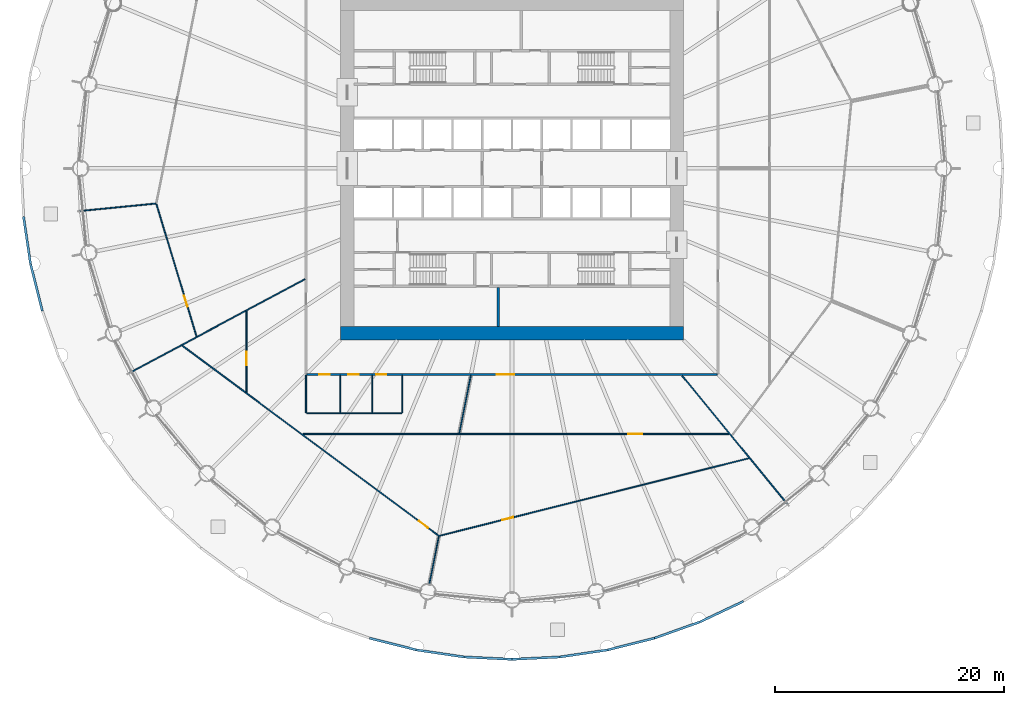
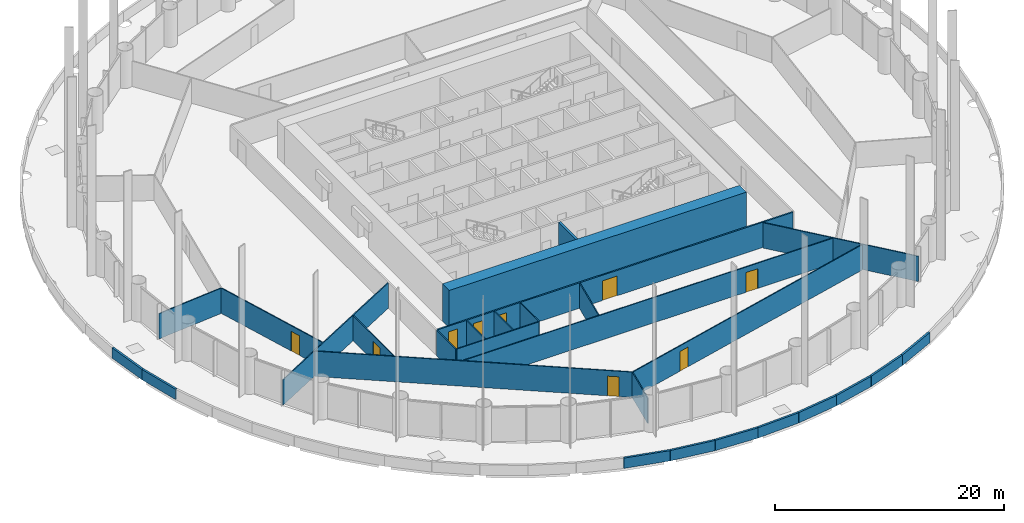
# One storey, part 9 of 17: 28 walls, 9 doors, 9 openings.
"""IFC4 building model written with IfcOpenShell, lengths in metres."""

from ifc_helpers import new_model, si_unit, direction, frame, frame_2d, origin, place, context, subcontext, project, spatial, polyline, rectangle, outline, extrude, material, layer, layer_set, type_object, element, fill, save


model = new_model("IFC4")

# Units and contexts
model_context = context("Model", 3, precision=1e-05, world=origin(), true_north=direction((0.0, 1.0)))
body_context = subcontext(model_context, "Body", "Model", "MODEL_VIEW")
ifc_project = project(units=[si_unit("LENGTHUNIT", "METRE"), si_unit("AREAUNIT", "SQUARE_METRE"), si_unit("VOLUMEUNIT", "CUBIC_METRE"), si_unit("PLANEANGLEUNIT", "RADIAN"), si_unit("MASSUNIT", "GRAM", prefix="KILO")], contexts=[model_context])

# Site, building, storey
site_placement = place(None, origin())
site = spatial("IfcSite", under=ifc_project, at=site_placement, CompositionType="ELEMENT")
building_placement = place(site_placement, origin())
building = spatial("IfcBuilding", under=site, at=building_placement, Name="Corvane Civic Tower", CompositionType="ELEMENT")
storey_placement = place(building_placement, frame((0.0, 0.0, 37.0)))
storey = spatial("IfcBuildingStorey", under=building, at=storey_placement, Name="L07", CompositionType="ELEMENT", Elevation=37.0)

# Walls
ifc_material_1 = material(Name="Concrete C80/95", Category="concrete")
ifc_layer_1 = layer(ifc_material_1, 1.199951171875)
ifc_layer_set_1 = layer_set([ifc_layer_1], Name="Concrete C80/95")
wall_type_1 = type_object("IfcWallType", Name="CORE WALL 1200 C80/95", PredefinedType="SHEAR", material=ifc_layer_set_1)
wall_1_placement = place(storey_placement, frame((-15.0, -14.39990234375, 0.0), z_axis=(0.0, 0.0, 1.0), x_axis=(1.0, 0.0, 0.0)))
element("IfcWall", 1, at=wall_1_placement, inside=storey, type_object=wall_type_1, Name="W-L07-core-S", PredefinedType="SHEAR", context=body_context, shape_type="SweptSolid", body=[
    extrude(rectangle(XDim=30.0, YDim=1.199951171875, at=frame_2d((15.0, 0.0))), origin(), (0.0, 0.0, 1.0), 4.0),
])
ifc_material_2 = material(Name="Concrete C30/37", Category="concrete")
ifc_layer_2 = layer(ifc_material_2, 0.199951171875)
ifc_layer_set_2 = layer_set([ifc_layer_2], Name="Concrete C30/37")
wall_type_2 = type_object("IfcWallType", Name="CR-WALL-200", PredefinedType="PARTITIONING", material=ifc_layer_set_2)
wall_2_placement = place(storey_placement, origin())
element("IfcWall", 2, at=wall_2_placement, inside=storey, type_object=wall_type_2, Name="L07 core partition wall", PredefinedType="PARTITIONING", context=body_context, shape_type="SweptSolid", body=[
    extrude(outline(polyline([(-1.10009765625, -13.800048828125), (-1.300048828125, -13.800048828125), (-1.300048828125, -10.39990234375), (-1.10009765625, -10.39990234375), (-1.10009765625, -13.800048828125)])), origin(), (0.0, 0.0, 1.0), 3.699951171875),
])
ifc_material_3 = material(Name="Limestone cladding", Category="masonry")
ifc_layer_3 = layer(ifc_material_3, 0.199951171875)
ifc_layer_set_3 = layer_set([ifc_layer_3], Name="Limestone cladding")
wall_type_3 = type_object("IfcWallType", Name="PODIUM-W-PARAPET-200", PredefinedType="PARAPET", material=ifc_layer_set_3)
wall_3_placement = place(storey_placement, frame((-42.692626953125, -4.210205078125, 0.0), z_axis=(0.0, 0.0, 1.0), x_axis=(0.146725630276, -0.989177228519, 0.0)))
element("IfcWall", 3, at=wall_3_placement, inside=storey, type_object=wall_type_3, Name="Drum roof parapet 18", PredefinedType="PARAPET", context=body_context, shape_type="SweptSolid", body=[
    extrude(rectangle(XDim=4.19970703125, YDim=0.199951171875, at=frame_2d((2.099853515625, 0.0))), origin(), (0.0, 0.0, 1.0), 1.10009765625),
])
for number, where, z_axis, x_axis, name in (
    (4, (-42.074462890625, -8.374267578125, 0.0), (0.0, 0.0, 1.0), (0.242986967766, -0.970029552898, 0.0), "Drum roof parapet 19"),
    (5, (-12.4482421875, -41.053955078125, 0.0), (0.0, 0.0, 1.0), (0.970029552898, -0.242986967766, 0.0), "Drum roof parapet 30"),
):
    element("IfcWall", number, at=place(storey_placement, frame(where, z_axis=z_axis, x_axis=x_axis)), inside=storey, type_object=wall_type_3, Name=name, PredefinedType="PARAPET", context=body_context, shape_type="SweptSolid", body=[
        extrude(rectangle(XDim=4.199951171875, YDim=0.199951171875, at=frame_2d((2.10009765625, 0.0))), origin(), (0.0, 0.0, 1.0), 1.10009765625),
    ])
wall_4_placement = place(storey_placement, frame((-8.364501953125, -42.076416015625, 0.0), z_axis=(0.0, 0.0, 1.0), x_axis=(0.989177228519, -0.146725630276, 0.0)))
element("IfcWall", 6, at=wall_4_placement, inside=storey, type_object=wall_type_3, Name="Drum roof parapet 31", PredefinedType="PARAPET", context=body_context, shape_type="SweptSolid", body=[
    extrude(rectangle(XDim=4.19970703125, YDim=0.199951171875, at=frame_2d((2.099853515625, 0.0))), origin(), (0.0, 0.0, 1.0), 1.10009765625),
])
for number, where, z_axis, x_axis, name in (
    (7, (-4.199951171875, -42.693603515625, 0.0), (0.0, 0.0, 1.0), (0.998795734049, -0.049062018364, 0.0), "Drum roof parapet 32"),
    (8, (0.005126953125, -42.899658203125, 0.0), (0.0, 0.0, 1.0), (0.998795734049, 0.049062018364, 0.0), "Drum roof parapet 33"),
):
    element("IfcWall", number, at=place(storey_placement, frame(where, z_axis=z_axis, x_axis=x_axis)), inside=storey, type_object=wall_type_3, Name=name, PredefinedType="PARAPET", context=body_context, shape_type="SweptSolid", body=[
        extrude(rectangle(XDim=4.199951171875, YDim=0.199951171875, at=frame_2d((2.10009765625, 0.0))), origin(), (0.0, 0.0, 1.0), 1.10009765625),
    ])
wall_5_placement = place(storey_placement, frame((4.210205078125, -42.692626953125, 0.0), z_axis=(0.0, 0.0, 1.0), x_axis=(0.989177228519, 0.146725630276, 0.0)))
element("IfcWall", 9, at=wall_5_placement, inside=storey, type_object=wall_type_3, Name="Drum roof parapet 34", PredefinedType="PARAPET", context=body_context, shape_type="SweptSolid", body=[
    extrude(rectangle(XDim=4.19970703125, YDim=0.199951171875, at=frame_2d((2.099853515625, 0.0))), origin(), (0.0, 0.0, 1.0), 1.10009765625),
])
wall_6_placement = place(storey_placement, frame((8.374267578125, -42.074462890625, 0.0), z_axis=(0.0, 0.0, 1.0), x_axis=(0.970029552898, 0.242986967766, 0.0)))
element("IfcWall", 10, at=wall_6_placement, inside=storey, type_object=wall_type_3, Name="Drum roof parapet 35", PredefinedType="PARAPET", context=body_context, shape_type="SweptSolid", body=[
    extrude(rectangle(XDim=4.199951171875, YDim=0.199951171875, at=frame_2d((2.10009765625, 0.0))), origin(), (0.0, 0.0, 1.0), 1.10009765625),
])
wall_7_placement = place(storey_placement, frame((12.4580078125, -41.05078125, 0.0), z_axis=(0.0, 0.0, 1.0), x_axis=(0.94154446095, 0.336888747296, 0.0)))
element("IfcWall", 11, at=wall_7_placement, inside=storey, type_object=wall_type_3, Name="Drum roof parapet 36", PredefinedType="PARAPET", context=body_context, shape_type="SweptSolid", body=[
    extrude(rectangle(XDim=4.19970703125, YDim=0.199951171875, at=frame_2d((2.099853515625, 0.0))), origin(), (0.0, 0.0, 1.0), 1.10009765625),
])
wall_8_placement = place(storey_placement, frame((16.421630859375, -39.632080078125, 0.0), z_axis=(0.0, 0.0, 1.0), x_axis=(0.903990983369, 0.427551519689, 0.0)))
element("IfcWall", 12, at=wall_8_placement, inside=storey, type_object=wall_type_3, Name="Drum roof parapet 37", PredefinedType="PARAPET", context=body_context, shape_type="SweptSolid", body=[
    extrude(rectangle(XDim=4.199951171875, YDim=0.199951171875, at=frame_2d((2.10009765625, 0.0))), origin(), (0.0, 0.0, 1.0), 1.10009765625),
])
ifc_material_4 = material(Name="Plasterboard")
ifc_layer_4 = layer(ifc_material_4, 0.10009765625)
ifc_layer_set_4 = layer_set([ifc_layer_4], Name="Plasterboard")
wall_type_4 = type_object("IfcWallType", Name="Partition 100 plasterboard on studs", PredefinedType="PARTITIONING", material=ifc_layer_set_4)
wall_9_placement = place(storey_placement, frame((-7.21630859375, -36.279296875, 0.0), z_axis=(0.0, 0.0, 1.0), x_axis=(0.195057644568, 0.980791779786, 0.0)))
element("IfcWall", 13, at=wall_9_placement, inside=storey, type_object=wall_type_4, Name="Partition L07.001", PredefinedType="PARTITIONING", context=body_context, shape_type="SweptSolid", body=[
    extrude(rectangle(XDim=4.21435546875, YDim=0.10009765625, at=frame_2d((2.107177734375, 0.0))), origin(), (0.0, 0.0, 1.0), 2.699951171875),
])

# Wall, opening, door
wall_10_placement = place(storey_placement, frame((-6.357421875, -32.107177734375, 0.0), z_axis=(0.0, 0.0, 1.0), x_axis=(0.970030139122, 0.242984627485, 0.0)))
wall_10 = element("IfcWall", 14, at=wall_10_placement, inside=storey, type_object=wall_type_4, Name="Partition L07.002", PredefinedType="PARTITIONING", context=body_context, shape_type="SweptSolid", body=[
    extrude(rectangle(XDim=27.88916015625, YDim=0.10009765625, at=frame_2d((13.944580078125, 0.0))), origin(), (0.0, 0.0, 1.0), 2.699951171875),
])
opening_1_placement = place(wall_10_placement, frame((5.68017578125, 0.0, 0.0)))
opening_1 = element("IfcOpeningElement", 15, at=opening_1_placement, cuts=wall_10, Name="Opening L07.007", PredefinedType="OPENING", context=body_context, shape_type="SweptSolid", body=[
    extrude(rectangle(XDim=1.0, YDim=2.10009765625, at=frame_2d((0.5, 1.050048828125))), frame((0.0, 0.06005859375, 0.0), z_axis=(0.0, -1.0, 0.0), x_axis=(1.0, 0.0, 0.0)), (0.0, 0.0, 1.0), 0.1201171875),
])
ifc_material_5 = material(Name="Timber", Category="wood")
door_type_1 = type_object("IfcDoorType", Name="Single door 1000", OperationType="NOTDEFINED", PredefinedType="DOOR", material=ifc_material_5)
door_1_placement = place(opening_1_placement, frame((1.0, 0.0, 0.0), z_axis=(0.0, 0.0, 1.0), x_axis=(-1.0, 0.0, 0.0)))
door_1 = element("IfcDoor", 16, at=door_1_placement, inside=storey, type_object=door_type_1, Name="Door L07.007", OperationType="SINGLE_SWING_RIGHT", OverallHeight=2.10009765625, OverallWidth=1.0, PredefinedType="DOOR", context=body_context, shape_type="SweptSolid", body=[
    extrude(rectangle(XDim=1.0, YDim=2.10009765625, at=frame_2d((0.5, 1.050048828125))), frame((0.0, 0.02490234375, 0.0), z_axis=(0.0, -1.0, 0.0), x_axis=(1.0, 0.0, 0.0)), (0.0, 0.0, 1.0), 0.050048828125),
])
fill(opening_1, door_1)

wall_11_placement = place(storey_placement, frame((-28.814208984375, -15.482421875, 0.0), z_axis=(0.0, 0.0, 1.0), x_axis=(0.803206118152, -0.595701210141, 0.0)))
wall_11 = element("IfcWall", 17, at=wall_11_placement, inside=storey, type_object=wall_type_4, Name="Partition L07.003", PredefinedType="PARTITIONING", context=body_context, shape_type="SweptSolid", body=[
    extrude(rectangle(XDim=27.888916015625, YDim=0.10009765625, at=frame_2d((13.9443359375, 0.0))), origin(), (0.0, 0.0, 1.0), 2.699951171875),
])
opening_2_placement = place(wall_11_placement, frame((25.738525390625, 0.0, 0.0)))
opening_2 = element("IfcOpeningElement", 18, at=opening_2_placement, cuts=wall_11, Name="Opening L07.008", PredefinedType="OPENING", context=body_context, shape_type="SweptSolid", body=[
    extrude(rectangle(XDim=1.0, YDim=2.10009765625, at=frame_2d((0.5, 1.050048828125))), frame((0.0, 0.06005859375, 0.0), z_axis=(0.0, -1.0, 0.0), x_axis=(1.0, 0.0, 0.0)), (0.0, 0.0, 1.0), 0.1201171875),
])
door_2_placement = place(opening_2_placement, frame((1.0, 0.0, 0.0), z_axis=(0.0, 0.0, 1.0), x_axis=(-1.0, 0.0, 0.0)))
door_2 = element("IfcDoor", 19, at=door_2_placement, inside=storey, type_object=door_type_1, Name="Door L07.008", OperationType="SINGLE_SWING_LEFT", OverallHeight=2.10009765625, OverallWidth=1.0, PredefinedType="DOOR", context=body_context, shape_type="SweptSolid", body=[
    extrude(rectangle(XDim=1.0, YDim=2.10009765625, at=frame_2d((0.5, 1.050048828125))), frame((0.0, 0.02490234375, 0.0), z_axis=(0.0, -1.0, 0.0), x_axis=(1.0, 0.0, 0.0)), (0.0, 0.0, 1.0), 0.050048828125),
])
fill(opening_2, door_2)

# Wall
wall_12_placement = place(storey_placement, frame((14.85986328125, -18.106689453125, 0.0), z_axis=(0.0, 0.0, 1.0), x_axis=(0.634382026384, -0.773019692246, 0.0)))
element("IfcWall", 20, at=wall_12_placement, inside=storey, type_object=wall_type_4, Name="Partition L07.004", PredefinedType="PARTITIONING", context=body_context, shape_type="SweptSolid", body=[
    extrude(rectangle(XDim=14.5263671875, YDim=0.10009765625, at=frame_2d((7.26318359375, 0.0))), origin(), (0.0, 0.0, 1.0), 2.699951171875),
])

# Wall, opening, door
wall_13_placement = place(storey_placement, frame((-18.2568359375, -23.199951171875, 0.0), z_axis=(0.0, 0.0, 1.0), x_axis=(1.0, 0.0, 0.0)))
wall_13 = element("IfcWall", 21, at=wall_13_placement, inside=storey, type_object=wall_type_4, Name="Partition L07.006", PredefinedType="PARTITIONING", context=body_context, shape_type="SweptSolid", body=[
    extrude(rectangle(XDim=37.19091796875, YDim=0.10009765625, at=frame_2d((18.595458984375, 0.0))), origin(), (0.0, 0.0, 1.0), 2.699951171875),
])
opening_3_placement = place(wall_13_placement, frame((28.431640625, 0.0, 0.0)))
opening_3 = element("IfcOpeningElement", 22, at=opening_3_placement, cuts=wall_13, Name="Opening L07.009", PredefinedType="OPENING", context=body_context, shape_type="SweptSolid", body=[
    extrude(rectangle(XDim=1.199951171875, YDim=2.10009765625, at=frame_2d((0.60009765625, 1.050048828125))), frame((0.0, 0.06005859375, 0.0), z_axis=(0.0, -1.0, 0.0), x_axis=(1.0, 0.0, 0.0)), (0.0, 0.0, 1.0), 0.1201171875),
])
ifc_material_6 = material(Name="Timber", Category="wood")
door_type_2 = type_object("IfcDoorType", Name="Double door 1200", OperationType="NOTDEFINED", PredefinedType="DOOR", material=ifc_material_6)
door_3_placement = place(opening_3_placement, frame((1.199951171875, 0.0, 0.0), z_axis=(0.0, 0.0, 1.0), x_axis=(-1.0, 0.0, 0.0)))
door_3 = element("IfcDoor", 23, at=door_3_placement, inside=storey, type_object=door_type_2, Name="Door L07.009", OperationType="DOUBLE_DOOR_SINGLE_SWING", OverallHeight=2.10009765625, OverallWidth=1.199951171875, PredefinedType="DOOR", context=body_context, shape_type="SweptSolid", body=[
    extrude(rectangle(XDim=1.199951171875, YDim=2.10009765625, at=frame_2d((0.60009765625, 1.050048828125))), frame((0.0, 0.02490234375, 0.0), z_axis=(0.0, -1.0, 0.0), x_axis=(1.0, 0.0, 0.0)), (0.0, 0.0, 1.0), 0.050048828125),
])
fill(opening_3, door_3)

# Walls
wall_14_placement = place(storey_placement, frame((-4.602783203125, -23.14013671875, 0.0), z_axis=(0.0, 0.0, 1.0), x_axis=(0.195050300092, 0.98079324041, 0.0)))
element("IfcWall", 24, at=wall_14_placement, inside=storey, type_object=wall_type_4, Name="Partition L07.007", PredefinedType="PARTITIONING", context=body_context, shape_type="SweptSolid", body=[
    extrude(rectangle(XDim=5.154541015625, YDim=0.10009765625, at=frame_2d((2.5771484375, 0.0))), origin(), (0.0, 0.0, 1.0), 2.699951171875),
])
wall_15_placement = place(storey_placement, frame((-17.949951171875, -21.39990234375, 0.0), z_axis=(0.0, 0.0, 1.0), x_axis=(1.0, 0.0, 0.0)))
element("IfcWall", 25, at=wall_15_placement, inside=storey, type_object=wall_type_4, Name="Partition L07.008", PredefinedType="PARTITIONING", context=body_context, shape_type="SweptSolid", body=[
    extrude(rectangle(XDim=8.300048828125, YDim=0.10009765625, at=frame_2d((4.14990234375, 0.0))), origin(), (0.0, 0.0, 1.0), 2.699951171875),
])
wall_16_placement = place(storey_placement, frame((-18.0, -21.35009765625, 0.0), z_axis=(0.0, 0.0, 1.0), x_axis=(0.0, 1.0, 0.0)))
element("IfcWall", 26, at=wall_16_placement, inside=storey, type_object=wall_type_4, Name="Partition L07.009", PredefinedType="PARTITIONING", context=body_context, shape_type="SweptSolid", body=[
    extrude(rectangle(XDim=3.300048828125, YDim=0.10009765625, at=frame_2d((1.64990234375, 0.0))), origin(), (0.0, 0.0, 1.0), 2.699951171875),
])
for number, where, z_axis, x_axis, name in (
    (27, (-15.0, -21.35009765625, 0.0), (0.0, 0.0, 1.0), (0.0, 1.0, 0.0), "Partition L07.010"),
    (28, (-12.199951171875, -21.35009765625, 0.0), (0.0, 0.0, 1.0), (0.0, 1.0, 0.0), "Partition L07.011"),
    (29, (-9.60009765625, -21.35009765625, 0.0), (0.0, 0.0, 1.0), (0.0, 1.0, 0.0), "Partition L07.012"),
):
    element("IfcWall", number, at=place(storey_placement, frame(where, z_axis=z_axis, x_axis=x_axis)), inside=storey, type_object=wall_type_4, Name=name, PredefinedType="PARTITIONING", context=body_context, shape_type="SweptSolid", body=[
        extrude(rectangle(XDim=3.275146484375, YDim=0.10009765625, at=frame_2d((1.6376953125, 0.0))), origin(), (0.0, 0.0, 1.0), 2.699951171875),
    ])

# Wall, opening, door
wall_17_placement = place(storey_placement, frame((-23.199951171875, -19.546875, 0.0), z_axis=(0.0, 0.0, 1.0), x_axis=(0.0, 1.0, 0.0)))
wall_17 = element("IfcWall", 30, at=wall_17_placement, inside=storey, type_object=wall_type_4, Name="Partition L07.013", PredefinedType="PARTITIONING", context=body_context, shape_type="SweptSolid", body=[
    extrude(rectangle(XDim=7.062744140625, YDim=0.10009765625, at=frame_2d((3.53125, 0.0))), origin(), (0.0, 0.0, 1.0), 2.699951171875),
])
opening_4_placement = place(wall_17_placement, frame((2.335205078125, 0.0, 0.0)))
opening_4 = element("IfcOpeningElement", 31, at=opening_4_placement, cuts=wall_17, Name="Opening L07.010", PredefinedType="OPENING", context=body_context, shape_type="SweptSolid", body=[
    extrude(rectangle(XDim=1.199951171875, YDim=2.10009765625, at=frame_2d((0.60009765625, 1.050048828125))), frame((0.0, 0.06005859375, 0.0), z_axis=(0.0, -1.0, 0.0), x_axis=(1.0, 0.0, 0.0)), (0.0, 0.0, 1.0), 0.1201171875),
])
door_4_placement = place(opening_4_placement, origin())
door_4 = element("IfcDoor", 32, at=door_4_placement, inside=storey, type_object=door_type_2, Name="Door L07.010", OperationType="DOUBLE_DOOR_SINGLE_SWING", OverallHeight=2.10009765625, OverallWidth=1.199951171875, PredefinedType="DOOR", context=body_context, shape_type="SweptSolid", body=[
    extrude(rectangle(XDim=1.199951171875, YDim=2.10009765625, at=frame_2d((0.60009765625, 1.050048828125))), frame((0.0, 0.02490234375, 0.0), z_axis=(0.0, -1.0, 0.0), x_axis=(1.0, 0.0, 0.0)), (0.0, 0.0, 1.0), 0.050048828125),
])
fill(opening_4, door_4)

# Wall
wall_18_placement = place(storey_placement, frame((-33.468994140625, -17.8896484375, 0.0), z_axis=(0.0, 0.0, 1.0), x_axis=(0.881916707753, 0.471405261517, 0.0)))
element("IfcWall", 33, at=wall_18_placement, inside=storey, type_object=wall_type_4, Name="Partition L07.018", PredefinedType="PARTITIONING", context=body_context, shape_type="SweptSolid", body=[
    extrude(rectangle(XDim=17.428466796875, YDim=0.10009765625, at=frame_2d((8.71435546875, 0.0))), origin(), (0.0, 0.0, 1.0), 2.699951171875),
])

# Wall, opening, door
wall_19_placement = place(storey_placement, frame((-31.07958984375, -3.1015625, 0.0), z_axis=(0.0, 0.0, 1.0), x_axis=(0.290268601129, -0.956945212224, 0.0)))
wall_19 = element("IfcWall", 34, at=wall_19_placement, inside=storey, type_object=wall_type_4, Name="Partition L07.019", PredefinedType="PARTITIONING", context=body_context, shape_type="SweptSolid", body=[
    extrude(rectangle(XDim=12.088134765625, YDim=0.10009765625, at=frame_2d((6.0439453125, 0.0))), origin(), (0.0, 0.0, 1.0), 2.699951171875),
])
opening_5_placement = place(wall_19_placement, frame((8.37109375, 0.0, 0.0)))
opening_5 = element("IfcOpeningElement", 35, at=opening_5_placement, cuts=wall_19, Name="Opening L07.016", PredefinedType="OPENING", context=body_context, shape_type="SweptSolid", body=[
    extrude(rectangle(XDim=1.0, YDim=2.10009765625, at=frame_2d((0.5, 1.050048828125))), frame((0.0, 0.06005859375, 0.0), z_axis=(0.0, -1.0, 0.0), x_axis=(1.0, 0.0, 0.0)), (0.0, 0.0, 1.0), 0.1201171875),
])
door_5_placement = place(opening_5_placement, frame((1.0, 0.0, 0.0), z_axis=(0.0, 0.0, 1.0), x_axis=(-1.0, 0.0, 0.0)))
door_5 = element("IfcDoor", 36, at=door_5_placement, inside=storey, type_object=door_type_1, Name="Door L07.016", OperationType="SINGLE_SWING_RIGHT", OverallHeight=2.10009765625, OverallWidth=1.0, PredefinedType="DOOR", context=body_context, shape_type="SweptSolid", body=[
    extrude(rectangle(XDim=1.0, YDim=2.10009765625, at=frame_2d((0.5, 1.050048828125))), frame((0.0, 0.02490234375, 0.0), z_axis=(0.0, -1.0, 0.0), x_axis=(1.0, 0.0, 0.0)), (0.0, 0.0, 1.0), 0.050048828125),
])
fill(opening_5, door_5)

# Wall
wall_20_placement = place(storey_placement, frame((-37.767333984375, -3.7197265625, 0.0), z_axis=(0.0, 0.0, 1.0), x_axis=(0.995186878192, 0.097995293128, 0.0)))
element("IfcWall", 37, at=wall_20_placement, inside=storey, type_object=wall_type_4, Name="Partition L07.022", PredefinedType="PARTITIONING", context=body_context, shape_type="SweptSolid", body=[
    extrude(rectangle(XDim=6.666748046875, YDim=0.10009765625, at=frame_2d((3.33349609375, 0.0))), origin(), (0.0, 0.0, 1.0), 2.699951171875),
])

# Wall, openings, doors
ifc_material_7 = material(Name="Plasterboard")
ifc_layer_5 = layer(ifc_material_7, 0.14990234375)
ifc_layer_set_5 = layer_set([ifc_layer_5], Name="Plasterboard")
wall_type_5 = type_object("IfcWallType", Name="Tenancy wall 150 EI 60", PredefinedType="PARTITIONING", material=ifc_layer_set_5)
wall_21_placement = place(storey_placement, frame((-17.925048828125, -18.0, 0.0), z_axis=(0.0, 0.0, 1.0), x_axis=(1.0, 0.0, 0.0)))
wall_21 = element("IfcWall", 38, at=wall_21_placement, inside=storey, type_object=wall_type_5, Name="Partition L07.015", PredefinedType="PARTITIONING", context=body_context, shape_type="SweptSolid", body=[
    extrude(rectangle(XDim=35.85009765625, YDim=0.14990234375, at=frame_2d((17.925048828125, 0.0))), origin(), (0.0, 0.0, 1.0), 2.699951171875),
])
opening_6_placement = place(wall_21_placement, frame((16.603759765625, 0.0, 0.0)))
opening_6 = element("IfcOpeningElement", 39, at=opening_6_placement, cuts=wall_21, Name="Opening L07.011", PredefinedType="OPENING", context=body_context, shape_type="SweptSolid", body=[
    extrude(rectangle(XDim=1.5, YDim=2.10009765625, at=frame_2d((0.75, 1.050048828125))), frame((0.0, 0.0849609375, 0.0), z_axis=(0.0, -1.0, 0.0), x_axis=(1.0, 0.0, 0.0)), (0.0, 0.0, 1.0), 0.169921875),
])
opening_7_placement = place(wall_21_placement, frame((1.099365234375, 0.0, 0.0)))
opening_7 = element("IfcOpeningElement", 40, at=opening_7_placement, cuts=wall_21, Name="Opening L07.013", PredefinedType="OPENING", context=body_context, shape_type="SweptSolid", body=[
    extrude(rectangle(XDim=0.89990234375, YDim=2.10009765625, at=frame_2d((0.449951171875, 1.050048828125))), frame((0.0, 0.0849609375, 0.0), z_axis=(0.0, -1.0, 0.0), x_axis=(1.0, 0.0, 0.0)), (0.0, 0.0, 1.0), 0.169921875),
])
opening_8_placement = place(wall_21_placement, frame((3.62158203125, 0.0, 0.0)))
opening_8 = element("IfcOpeningElement", 41, at=opening_8_placement, cuts=wall_21, Name="Opening L07.014", PredefinedType="OPENING", context=body_context, shape_type="SweptSolid", body=[
    extrude(rectangle(XDim=0.89990234375, YDim=2.10009765625, at=frame_2d((0.449951171875, 1.050048828125))), frame((0.0, 0.0849609375, 0.0), z_axis=(0.0, -1.0, 0.0), x_axis=(1.0, 0.0, 0.0)), (0.0, 0.0, 1.0), 0.169921875),
])
opening_9_placement = place(wall_21_placement, frame((6.056396484375, 0.0, 0.0)))
opening_9 = element("IfcOpeningElement", 42, at=opening_9_placement, cuts=wall_21, Name="Opening L07.015", PredefinedType="OPENING", context=body_context, shape_type="SweptSolid", body=[
    extrude(rectangle(XDim=0.89990234375, YDim=2.10009765625, at=frame_2d((0.449951171875, 1.050048828125))), frame((0.0, 0.0849609375, 0.0), z_axis=(0.0, -1.0, 0.0), x_axis=(1.0, 0.0, 0.0)), (0.0, 0.0, 1.0), 0.169921875),
])
ifc_material_8 = material(Name="Steel and timber", Category="steel")
door_type_3 = type_object("IfcDoorType", Name="Fire door FD30S 900", OperationType="NOTDEFINED", PredefinedType="DOOR", material=ifc_material_8)
door_6_placement = place(opening_7_placement, frame((0.89990234375, 0.0, 0.0), z_axis=(0.0, 0.0, 1.0), x_axis=(-1.0, 0.0, 0.0)))
door_6 = element("IfcDoor", 43, at=door_6_placement, inside=storey, type_object=door_type_3, Name="Door L07.013", OperationType="SINGLE_SWING_RIGHT", OverallHeight=2.10009765625, OverallWidth=0.89990234375, PredefinedType="DOOR", context=body_context, shape_type="SweptSolid", body=[
    extrude(rectangle(XDim=0.89990234375, YDim=2.10009765625, at=frame_2d((0.449951171875, 1.050048828125))), frame((0.0, 0.02490234375, 0.0), z_axis=(0.0, -1.0, 0.0), x_axis=(1.0, 0.0, 0.0)), (0.0, 0.0, 1.0), 0.050048828125),
])
fill(opening_7, door_6)
door_7_placement = place(opening_8_placement, frame((0.89990234375, 0.0, 0.0), z_axis=(0.0, 0.0, 1.0), x_axis=(-1.0, 0.0, 0.0)))
door_7 = element("IfcDoor", 44, at=door_7_placement, inside=storey, type_object=door_type_3, Name="Door L07.014", OperationType="SINGLE_SWING_LEFT", OverallHeight=2.10009765625, OverallWidth=0.89990234375, PredefinedType="DOOR", context=body_context, shape_type="SweptSolid", body=[
    extrude(rectangle(XDim=0.89990234375, YDim=2.10009765625, at=frame_2d((0.449951171875, 1.050048828125))), frame((0.0, 0.02490234375, 0.0), z_axis=(0.0, -1.0, 0.0), x_axis=(1.0, 0.0, 0.0)), (0.0, 0.0, 1.0), 0.050048828125),
])
fill(opening_8, door_7)
door_8_placement = place(opening_9_placement, frame((0.89990234375, 0.0, 0.0), z_axis=(0.0, 0.0, 1.0), x_axis=(-1.0, 0.0, 0.0)))
door_8 = element("IfcDoor", 45, at=door_8_placement, inside=storey, type_object=door_type_3, Name="Door L07.015", OperationType="SINGLE_SWING_LEFT", OverallHeight=2.10009765625, OverallWidth=0.89990234375, PredefinedType="DOOR", context=body_context, shape_type="SweptSolid", body=[
    extrude(rectangle(XDim=0.89990234375, YDim=2.10009765625, at=frame_2d((0.449951171875, 1.050048828125))), frame((0.0, 0.02490234375, 0.0), z_axis=(0.0, -1.0, 0.0), x_axis=(1.0, 0.0, 0.0)), (0.0, 0.0, 1.0), 0.050048828125),
])
fill(opening_9, door_8)
ifc_material_9 = material(Name="Steel and timber", Category="steel")
door_type_4 = type_object("IfcDoorType", Name="Fire door FD60 double 1500", OperationType="NOTDEFINED", PredefinedType="DOOR", material=ifc_material_9)
door_9_placement = place(opening_6_placement, frame((1.5, 0.0, 0.0), z_axis=(0.0, 0.0, 1.0), x_axis=(-1.0, 0.0, 0.0)))
door_9 = element("IfcDoor", 46, at=door_9_placement, inside=storey, type_object=door_type_4, Name="Door L07.011", OperationType="DOUBLE_DOOR_SINGLE_SWING", OverallHeight=2.10009765625, OverallWidth=1.5, PredefinedType="DOOR", context=body_context, shape_type="SweptSolid", body=[
    extrude(rectangle(XDim=1.5, YDim=2.10009765625, at=frame_2d((0.75, 1.050048828125))), frame((0.0, 0.02490234375, 0.0), z_axis=(0.0, -1.0, 0.0), x_axis=(1.0, 0.0, 0.0)), (0.0, 0.0, 1.0), 0.050048828125),
])
fill(opening_6, door_9)

save(model, "model.ifc")
